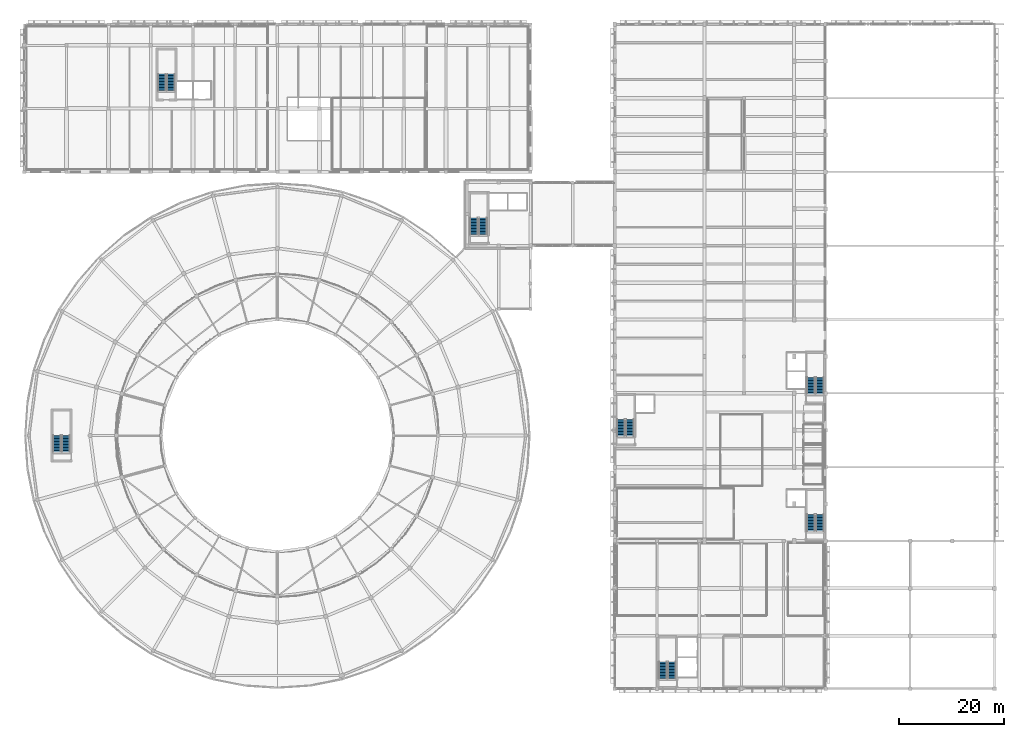
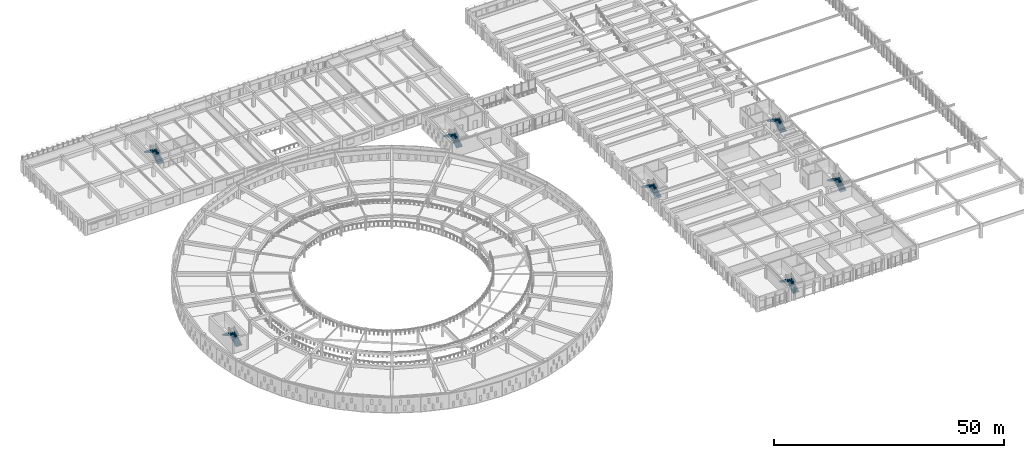
# One storey, part 75 of 98: 14 stair flights, 7 elements without a shape of their own.
"""IFC4 building model written with IfcOpenShell, lengths in metres."""

from ifc_helpers import new_model, si_unit, direction, frame, origin, place, context, subcontext, project, spatial, polyline, outline, extrude, material, type_object, element, aggregate, save


model = new_model("IFC4")

# Units and contexts
model_context = context("Model", 3, precision=1e-05, world=origin(), true_north=direction((0.0, 1.0)))
body_context = subcontext(model_context, "Body", "Model", "MODEL_VIEW")
ifc_project = project(units=[si_unit("LENGTHUNIT", "METRE"), si_unit("AREAUNIT", "SQUARE_METRE"), si_unit("VOLUMEUNIT", "CUBIC_METRE"), si_unit("PLANEANGLEUNIT", "RADIAN"), si_unit("MASSUNIT", "GRAM", prefix="KILO")], contexts=[model_context])

# Site, building, storey
site_placement = place(None, origin())
site = spatial("IfcSite", under=ifc_project, at=site_placement, CompositionType="ELEMENT")
building_placement = place(site_placement, origin())
building = spatial("IfcBuilding", under=site, at=building_placement, Name="Larkveld Mobility Hub", CompositionType="ELEMENT")
storey_placement = place(building_placement, frame((0.0, 0.0, 4.5)))
storey = spatial("IfcBuildingStorey", under=building, at=storey_placement, Name="L01", CompositionType="ELEMENT", Elevation=4.5)

# Stair, stair flights
ifc_material = material(Name="Concrete C40/50", Category="concrete")
stair_type_1 = type_object("IfcStairType", Name="ST-HT-01", PredefinedType="HALF_TURN_STAIR", material=ifc_material)
stair_1_placement = place(storey_placement, origin())
stair_1 = element("IfcStair", 1, at=stair_1_placement, inside=storey, type_object=stair_type_1, Name="L01 Protected Escape Stair ST1", PredefinedType="HALF_TURN_STAIR")
stair_flight_type_1 = type_object("IfcStairFlightType", Name="SF-HT-01", PredefinedType="STRAIGHT", material=ifc_material)
stair_flight_1_placement = place(storey_placement, frame((150.875, 29.89990234375, 0.0), z_axis=(0.0, 0.0, 1.0), x_axis=(0.0, 1.0, 0.0)))
stair_flight_1 = element("IfcStairFlight", 2, at=stair_flight_1_placement, type_object=stair_flight_type_1, Name="ST1 flight 1", NumberOfRisers=12, NumberOfTreads=11, PredefinedType="STRAIGHT", RiserHeight=0.1625, TreadLength=0.285, context=body_context, shape_type="SweptSolid", body=[
    extrude(outline(polyline([(0.0, 0.0), (0.0, 0.16259765625), (0.284912109375, 0.16259765625), (0.284912109375, 0.324951171875), (0.570068359375, 0.324951171875), (0.570068359375, 0.487548828125), (0.85498046875, 0.487548828125), (0.85498046875, 0.64990234375), (1.139892578125, 0.64990234375), (1.139892578125, 0.8125), (1.425048828125, 0.8125), (1.425048828125, 0.97509765625), (1.7099609375, 0.97509765625), (1.7099609375, 1.137451171875), (1.9951171875, 1.137451171875), (1.9951171875, 1.300048828125), (2.280029296875, 1.300048828125), (2.280029296875, 1.46240234375), (2.56494140625, 1.46240234375), (2.56494140625, 1.625), (2.85009765625, 1.625), (2.85009765625, 1.78759765625), (3.135009765625, 1.78759765625), (3.135009765625, 1.949951171875), (3.135009765625, 1.60791015625), (0.31494140625, 0.0), (0.0, 0.0)])), frame((0.0, 0.77490234375, 0.0), z_axis=(0.0, -1.0, 0.0), x_axis=(1.0, 0.0, 0.0)), (0.0, 0.0, 1.0), 1.550048828125),
])
stair_flight_2_placement = place(storey_placement, frame((149.175048828125, 33.034912109375, 1.949951171875), z_axis=(0.0, 0.0, 1.0), x_axis=(0.0, -1.0, 0.0)))
stair_flight_2 = element("IfcStairFlight", 3, at=stair_flight_2_placement, type_object=stair_flight_type_1, Name="ST1 flight 2", NumberOfRisers=12, NumberOfTreads=11, PredefinedType="STRAIGHT", RiserHeight=0.1625, TreadLength=0.285, context=body_context, shape_type="SweptSolid", body=[
    extrude(outline(polyline([(0.0, 0.0), (0.0, 0.16259765625), (0.284912109375, 0.16259765625), (0.284912109375, 0.324951171875), (0.570068359375, 0.324951171875), (0.570068359375, 0.487548828125), (0.85498046875, 0.487548828125), (0.85498046875, 0.64990234375), (1.139892578125, 0.64990234375), (1.139892578125, 0.8125), (1.425048828125, 0.8125), (1.425048828125, 0.97509765625), (1.7099609375, 0.97509765625), (1.7099609375, 1.137451171875), (1.9951171875, 1.137451171875), (1.9951171875, 1.300048828125), (2.280029296875, 1.300048828125), (2.280029296875, 1.46240234375), (2.56494140625, 1.46240234375), (2.56494140625, 1.625), (2.85009765625, 1.625), (2.85009765625, 1.78759765625), (3.135009765625, 1.78759765625), (3.135009765625, 1.949951171875), (3.135009765625, 1.60791015625), (0.31494140625, 0.0), (0.0, 0.0)])), frame((0.0, 0.77490234375, 0.0), z_axis=(0.0, -1.0, 0.0), x_axis=(1.0, 0.0, 0.0)), (0.0, 0.0, 1.0), 1.550048828125),
])
aggregate(stair_1, [stair_flight_1, stair_flight_2])

stair_type_2 = type_object("IfcStairType", Name="ST-HT-02", PredefinedType="HALF_TURN_STAIR", material=ifc_material)
stair_2_placement = place(storey_placement, origin())
stair_2 = element("IfcStair", 4, at=stair_2_placement, inside=storey, type_object=stair_type_2, Name="L01 Protected Escape Stair ST2", PredefinedType="HALF_TURN_STAIR")
stair_flight_type_2 = type_object("IfcStairFlightType", Name="SF-HT-02", PredefinedType="STRAIGHT", material=ifc_material)
stair_flight_3_placement = place(storey_placement, frame((150.8701171875, 55.909912109375, 0.0), z_axis=(0.0, 0.0, 1.0), x_axis=(0.0, 1.0, 0.0)))
stair_flight_3 = element("IfcStairFlight", 5, at=stair_flight_3_placement, type_object=stair_flight_type_2, Name="ST2 flight 1", NumberOfRisers=12, NumberOfTreads=11, PredefinedType="STRAIGHT", RiserHeight=0.1625, TreadLength=0.285, context=body_context, shape_type="SweptSolid", body=[
    extrude(outline(polyline([(0.0, 0.0), (0.0, 0.16259765625), (0.284912109375, 0.16259765625), (0.284912109375, 0.324951171875), (0.570068359375, 0.324951171875), (0.570068359375, 0.487548828125), (0.85498046875, 0.487548828125), (0.85498046875, 0.64990234375), (1.139892578125, 0.64990234375), (1.139892578125, 0.8125), (1.425048828125, 0.8125), (1.425048828125, 0.97509765625), (1.7099609375, 0.97509765625), (1.7099609375, 1.137451171875), (1.9951171875, 1.137451171875), (1.9951171875, 1.300048828125), (2.280029296875, 1.300048828125), (2.280029296875, 1.46240234375), (2.56494140625, 1.46240234375), (2.56494140625, 1.625), (2.85009765625, 1.625), (2.85009765625, 1.78759765625), (3.135009765625, 1.78759765625), (3.135009765625, 1.949951171875), (3.135009765625, 1.600830078125), (0.327392578125, 0.0), (0.0, 0.0)])), frame((0.0, 0.780029296875, 0.0), z_axis=(0.0, -1.0, 0.0), x_axis=(1.0, 0.0, 0.0)), (0.0, 0.0, 1.0), 1.56005859375),
])
stair_flight_4_placement = place(storey_placement, frame((149.159912109375, 59.044921875, 1.949951171875), z_axis=(0.0, 0.0, 1.0), x_axis=(0.0, -1.0, 0.0)))
stair_flight_4 = element("IfcStairFlight", 6, at=stair_flight_4_placement, type_object=stair_flight_type_2, Name="ST2 flight 2", NumberOfRisers=12, NumberOfTreads=11, PredefinedType="STRAIGHT", RiserHeight=0.1625, TreadLength=0.285, context=body_context, shape_type="SweptSolid", body=[
    extrude(outline(polyline([(0.0, 0.0), (0.0, 0.16259765625), (0.284912109375, 0.16259765625), (0.284912109375, 0.324951171875), (0.570068359375, 0.324951171875), (0.570068359375, 0.487548828125), (0.85498046875, 0.487548828125), (0.85498046875, 0.64990234375), (1.139892578125, 0.64990234375), (1.139892578125, 0.8125), (1.425048828125, 0.8125), (1.425048828125, 0.97509765625), (1.7099609375, 0.97509765625), (1.7099609375, 1.137451171875), (1.9951171875, 1.137451171875), (1.9951171875, 1.300048828125), (2.280029296875, 1.300048828125), (2.280029296875, 1.46240234375), (2.56494140625, 1.46240234375), (2.56494140625, 1.625), (2.85009765625, 1.625), (2.85009765625, 1.78759765625), (3.135009765625, 1.78759765625), (3.135009765625, 1.949951171875), (3.135009765625, 1.600830078125), (0.327392578125, 0.0), (0.0, 0.0)])), frame((0.0, 0.780029296875, 0.0), z_axis=(0.0, -1.0, 0.0), x_axis=(1.0, 0.0, 0.0)), (0.0, 0.0, 1.0), 1.56005859375),
])
aggregate(stair_2, [stair_flight_3, stair_flight_4])

stair_type_3 = type_object("IfcStairType", Name="ST-HT-03", PredefinedType="HALF_TURN_STAIR", material=ifc_material)
stair_3_placement = place(storey_placement, origin())
stair_3 = element("IfcStair", 7, at=stair_3_placement, inside=storey, type_object=stair_type_3, Name="L01 Protected Escape Stair ST3", PredefinedType="HALF_TURN_STAIR")
stair_flight_type_3 = type_object("IfcStairFlightType", Name="SF-HT-03", PredefinedType="STRAIGHT", material=ifc_material)
stair_flight_5_placement = place(storey_placement, frame((114.85498046875, 47.919921875, 0.0), z_axis=(0.0, 0.0, 1.0), x_axis=(0.0, 1.0, 0.0)))
stair_flight_5 = element("IfcStairFlight", 8, at=stair_flight_5_placement, type_object=stair_flight_type_3, Name="ST3 flight 1", NumberOfRisers=12, NumberOfTreads=11, PredefinedType="STRAIGHT", RiserHeight=0.1625, TreadLength=0.285, context=body_context, shape_type="SweptSolid", body=[
    extrude(outline(polyline([(0.0, 0.0), (0.0, 0.16259765625), (0.284912109375, 0.16259765625), (0.284912109375, 0.324951171875), (0.570068359375, 0.324951171875), (0.570068359375, 0.487548828125), (0.85498046875, 0.487548828125), (0.85498046875, 0.64990234375), (1.139892578125, 0.64990234375), (1.139892578125, 0.8125), (1.425048828125, 0.8125), (1.425048828125, 0.97509765625), (1.7099609375, 0.97509765625), (1.7099609375, 1.137451171875), (1.9951171875, 1.137451171875), (1.9951171875, 1.300048828125), (2.280029296875, 1.300048828125), (2.280029296875, 1.46240234375), (2.56494140625, 1.46240234375), (2.56494140625, 1.625), (2.85009765625, 1.625), (2.85009765625, 1.78759765625), (3.135009765625, 1.78759765625), (3.135009765625, 1.949951171875), (3.135009765625, 1.59423828125), (0.339111328125, 0.0), (0.0, 0.0)])), frame((0.0, 0.78515625, 0.0), z_axis=(0.0, -1.0, 0.0), x_axis=(1.0, 0.0, 0.0)), (0.0, 0.0, 1.0), 1.570068359375),
])
stair_flight_6_placement = place(storey_placement, frame((113.135009765625, 51.054931640625, 1.949951171875), z_axis=(0.0, 0.0, 1.0), x_axis=(0.0, -1.0, 0.0)))
stair_flight_6 = element("IfcStairFlight", 9, at=stair_flight_6_placement, type_object=stair_flight_type_3, Name="ST3 flight 2", NumberOfRisers=12, NumberOfTreads=11, PredefinedType="STRAIGHT", RiserHeight=0.1625, TreadLength=0.285, context=body_context, shape_type="SweptSolid", body=[
    extrude(outline(polyline([(0.0, 0.0), (0.0, 0.16259765625), (0.284912109375, 0.16259765625), (0.284912109375, 0.324951171875), (0.570068359375, 0.324951171875), (0.570068359375, 0.487548828125), (0.85498046875, 0.487548828125), (0.85498046875, 0.64990234375), (1.139892578125, 0.64990234375), (1.139892578125, 0.8125), (1.425048828125, 0.8125), (1.425048828125, 0.97509765625), (1.7099609375, 0.97509765625), (1.7099609375, 1.137451171875), (1.9951171875, 1.137451171875), (1.9951171875, 1.300048828125), (2.280029296875, 1.300048828125), (2.280029296875, 1.46240234375), (2.56494140625, 1.46240234375), (2.56494140625, 1.625), (2.85009765625, 1.625), (2.85009765625, 1.78759765625), (3.135009765625, 1.78759765625), (3.135009765625, 1.949951171875), (3.135009765625, 1.59423828125), (0.339111328125, 0.0), (0.0, 0.0)])), frame((0.0, 0.78515625, 0.0), z_axis=(0.0, -1.0, 0.0), x_axis=(1.0, 0.0, 0.0)), (0.0, 0.0, 1.0), 1.570068359375),
])
aggregate(stair_3, [stair_flight_5, stair_flight_6])

stair_type_4 = type_object("IfcStairType", Name="ST-HT-04", PredefinedType="HALF_TURN_STAIR", material=ifc_material)
stair_4_placement = place(storey_placement, origin())
stair_4 = element("IfcStair", 10, at=stair_4_placement, inside=storey, type_object=stair_type_4, Name="L01 Protected Escape Stair ST4", PredefinedType="HALF_TURN_STAIR")
stair_flight_type_4 = type_object("IfcStairFlightType", Name="SF-HT-04", PredefinedType="STRAIGHT", material=ifc_material)
stair_flight_7_placement = place(storey_placement, frame((122.824951171875, 1.89990234375, 0.0), z_axis=(0.0, 0.0, 1.0), x_axis=(0.0, 1.0, 0.0)))
stair_flight_7 = element("IfcStairFlight", 11, at=stair_flight_7_placement, type_object=stair_flight_type_4, Name="ST4 flight 1", NumberOfRisers=12, NumberOfTreads=11, PredefinedType="STRAIGHT", RiserHeight=0.1625, TreadLength=0.285, context=body_context, shape_type="SweptSolid", body=[
    extrude(outline(polyline([(0.0, 0.0), (0.0, 0.16259765625), (0.284912109375, 0.16259765625), (0.284912109375, 0.324951171875), (0.570068359375, 0.324951171875), (0.570068359375, 0.487548828125), (0.85498046875, 0.487548828125), (0.85498046875, 0.64990234375), (1.139892578125, 0.64990234375), (1.139892578125, 0.8125), (1.425048828125, 0.8125), (1.425048828125, 0.97509765625), (1.7099609375, 0.97509765625), (1.7099609375, 1.137451171875), (1.9951171875, 1.137451171875), (1.9951171875, 1.300048828125), (2.280029296875, 1.300048828125), (2.280029296875, 1.46240234375), (2.56494140625, 1.46240234375), (2.56494140625, 1.625), (2.85009765625, 1.625), (2.85009765625, 1.78759765625), (3.135009765625, 1.78759765625), (3.135009765625, 1.949951171875), (3.135009765625, 1.587158203125), (0.351318359375, 0.0), (0.0, 0.0)])), frame((0.0, 0.77490234375, 0.0), z_axis=(0.0, -1.0, 0.0), x_axis=(1.0, 0.0, 0.0)), (0.0, 0.0, 1.0), 1.550048828125),
])
stair_flight_8_placement = place(storey_placement, frame((121.125, 5.034912109375, 1.949951171875), z_axis=(0.0, 0.0, 1.0), x_axis=(0.0, -1.0, 0.0)))
stair_flight_8 = element("IfcStairFlight", 12, at=stair_flight_8_placement, type_object=stair_flight_type_4, Name="ST4 flight 2", NumberOfRisers=12, NumberOfTreads=11, PredefinedType="STRAIGHT", RiserHeight=0.1625, TreadLength=0.285, context=body_context, shape_type="SweptSolid", body=[
    extrude(outline(polyline([(0.0, 0.0), (0.0, 0.16259765625), (0.284912109375, 0.16259765625), (0.284912109375, 0.324951171875), (0.570068359375, 0.324951171875), (0.570068359375, 0.487548828125), (0.85498046875, 0.487548828125), (0.85498046875, 0.64990234375), (1.139892578125, 0.64990234375), (1.139892578125, 0.8125), (1.425048828125, 0.8125), (1.425048828125, 0.97509765625), (1.7099609375, 0.97509765625), (1.7099609375, 1.137451171875), (1.9951171875, 1.137451171875), (1.9951171875, 1.300048828125), (2.280029296875, 1.300048828125), (2.280029296875, 1.46240234375), (2.56494140625, 1.46240234375), (2.56494140625, 1.625), (2.85009765625, 1.625), (2.85009765625, 1.78759765625), (3.135009765625, 1.78759765625), (3.135009765625, 1.949951171875), (3.135009765625, 1.587158203125), (0.351318359375, 0.0), (0.0, 0.0)])), frame((0.0, 0.77490234375, 0.0), z_axis=(0.0, -1.0, 0.0), x_axis=(1.0, 0.0, 0.0)), (0.0, 0.0, 1.0), 1.550048828125),
])
aggregate(stair_4, [stair_flight_7, stair_flight_8])

stair_type_5 = type_object("IfcStairType", Name="ST-HT-05", PredefinedType="HALF_TURN_STAIR", material=ifc_material)
stair_5_placement = place(storey_placement, origin())
stair_5 = element("IfcStair", 13, at=stair_5_placement, inside=storey, type_object=stair_type_5, Name="L01 Protected Escape Stair ST5", PredefinedType="HALF_TURN_STAIR")
stair_flight_type_5 = type_object("IfcStairFlightType", Name="SF-HT-05", PredefinedType="STRAIGHT", material=ifc_material)
stair_flight_9_placement = place(storey_placement, frame((87.02490234375, 86.10009765625, 0.0), z_axis=(0.0, 0.0, 1.0), x_axis=(0.0, 1.0, 0.0)))
stair_flight_9 = element("IfcStairFlight", 14, at=stair_flight_9_placement, type_object=stair_flight_type_5, Name="ST5 flight 1", NumberOfRisers=12, NumberOfTreads=11, PredefinedType="STRAIGHT", RiserHeight=0.1625, TreadLength=0.285, context=body_context, shape_type="SweptSolid", body=[
    extrude(outline(polyline([(0.0, 0.0), (0.0, 0.16259765625), (0.284912109375, 0.16259765625), (0.284912109375, 0.324951171875), (0.570068359375, 0.324951171875), (0.570068359375, 0.487548828125), (0.85498046875, 0.487548828125), (0.85498046875, 0.64990234375), (1.139892578125, 0.64990234375), (1.139892578125, 0.8125), (1.425048828125, 0.8125), (1.425048828125, 0.97509765625), (1.7099609375, 0.97509765625), (1.7099609375, 1.137451171875), (1.9951171875, 1.137451171875), (1.9951171875, 1.300048828125), (2.280029296875, 1.300048828125), (2.280029296875, 1.46240234375), (2.56494140625, 1.46240234375), (2.56494140625, 1.625), (2.85009765625, 1.625), (2.85009765625, 1.78759765625), (3.135009765625, 1.78759765625), (3.135009765625, 1.949951171875), (3.135009765625, 1.580322265625), (0.36328125, 0.0), (0.0, 0.0)])), frame((0.0, 0.77490234375, 0.0), z_axis=(0.0, -1.0, 0.0), x_axis=(1.0, 0.0, 0.0)), (0.0, 0.0, 1.0), 1.550048828125),
])
stair_flight_10_placement = place(storey_placement, frame((85.324951171875, 89.235107421875, 1.949951171875), z_axis=(0.0, 0.0, 1.0), x_axis=(0.0, -1.0, 0.0)))
stair_flight_10 = element("IfcStairFlight", 15, at=stair_flight_10_placement, type_object=stair_flight_type_5, Name="ST5 flight 2", NumberOfRisers=12, NumberOfTreads=11, PredefinedType="STRAIGHT", RiserHeight=0.1625, TreadLength=0.285, context=body_context, shape_type="SweptSolid", body=[
    extrude(outline(polyline([(0.0, 0.0), (0.0, 0.16259765625), (0.284912109375, 0.16259765625), (0.284912109375, 0.324951171875), (0.570068359375, 0.324951171875), (0.570068359375, 0.487548828125), (0.85498046875, 0.487548828125), (0.85498046875, 0.64990234375), (1.139892578125, 0.64990234375), (1.139892578125, 0.8125), (1.425048828125, 0.8125), (1.425048828125, 0.97509765625), (1.7099609375, 0.97509765625), (1.7099609375, 1.137451171875), (1.9951171875, 1.137451171875), (1.9951171875, 1.300048828125), (2.280029296875, 1.300048828125), (2.280029296875, 1.46240234375), (2.56494140625, 1.46240234375), (2.56494140625, 1.625), (2.85009765625, 1.625), (2.85009765625, 1.78759765625), (3.135009765625, 1.78759765625), (3.135009765625, 1.949951171875), (3.135009765625, 1.580322265625), (0.36328125, 0.0), (0.0, 0.0)])), frame((0.0, 0.77490234375, 0.0), z_axis=(0.0, -1.0, 0.0), x_axis=(1.0, 0.0, 0.0)), (0.0, 0.0, 1.0), 1.550048828125),
])
aggregate(stair_5, [stair_flight_9, stair_flight_10])

stair_type_6 = type_object("IfcStairType", Name="ST-HT-06", PredefinedType="HALF_TURN_STAIR", material=ifc_material)
stair_6_placement = place(storey_placement, origin())
stair_6 = element("IfcStair", 16, at=stair_6_placement, inside=storey, type_object=stair_type_6, Name="L01 Protected Escape Stair ST6", PredefinedType="HALF_TURN_STAIR")
stair_flight_type_6 = type_object("IfcStairFlightType", Name="SF-HT-06", PredefinedType="STRAIGHT", material=ifc_material)
stair_flight_11_placement = place(storey_placement, frame((27.824951171875, 113.39990234375, 0.0), z_axis=(0.0, 0.0, 1.0), x_axis=(0.0, 1.0, 0.0)))
stair_flight_11 = element("IfcStairFlight", 17, at=stair_flight_11_placement, type_object=stair_flight_type_6, Name="ST6 flight 1", NumberOfRisers=12, NumberOfTreads=11, PredefinedType="STRAIGHT", RiserHeight=0.1625, TreadLength=0.285, context=body_context, shape_type="SweptSolid", body=[
    extrude(outline(polyline([(0.0, 0.0), (0.0, 0.16259765625), (0.284912109375, 0.16259765625), (0.284912109375, 0.324951171875), (0.570068359375, 0.324951171875), (0.570068359375, 0.487548828125), (0.85498046875, 0.487548828125), (0.85498046875, 0.64990234375), (1.139892578125, 0.64990234375), (1.139892578125, 0.8125), (1.425048828125, 0.8125), (1.425048828125, 0.97509765625), (1.7099609375, 0.97509765625), (1.7099609375, 1.137451171875), (1.9951171875, 1.137451171875), (1.9951171875, 1.300048828125), (2.280029296875, 1.300048828125), (2.280029296875, 1.46240234375), (2.56494140625, 1.46240234375), (2.56494140625, 1.625), (2.85009765625, 1.625), (2.85009765625, 1.78759765625), (3.135009765625, 1.78759765625), (3.135009765625, 1.949951171875), (3.135009765625, 1.5732421875), (0.37548828125, 0.0), (0.0, 0.0)])), frame((0.0, 0.77490234375, 0.0), z_axis=(0.0, -1.0, 0.0), x_axis=(1.0, 0.0, 0.0)), (0.0, 0.0, 1.0), 1.550048828125),
])
stair_flight_12_placement = place(storey_placement, frame((26.125, 116.534912109375, 1.949951171875), z_axis=(0.0, 0.0, 1.0), x_axis=(0.0, -1.0, 0.0)))
stair_flight_12 = element("IfcStairFlight", 18, at=stair_flight_12_placement, type_object=stair_flight_type_6, Name="ST6 flight 2", NumberOfRisers=12, NumberOfTreads=11, PredefinedType="STRAIGHT", RiserHeight=0.1625, TreadLength=0.285, context=body_context, shape_type="SweptSolid", body=[
    extrude(outline(polyline([(0.0, 0.0), (0.0, 0.16259765625), (0.284912109375, 0.16259765625), (0.284912109375, 0.324951171875), (0.570068359375, 0.324951171875), (0.570068359375, 0.487548828125), (0.85498046875, 0.487548828125), (0.85498046875, 0.64990234375), (1.139892578125, 0.64990234375), (1.139892578125, 0.8125), (1.425048828125, 0.8125), (1.425048828125, 0.97509765625), (1.7099609375, 0.97509765625), (1.7099609375, 1.137451171875), (1.9951171875, 1.137451171875), (1.9951171875, 1.300048828125), (2.280029296875, 1.300048828125), (2.280029296875, 1.46240234375), (2.56494140625, 1.46240234375), (2.56494140625, 1.625), (2.85009765625, 1.625), (2.85009765625, 1.78759765625), (3.135009765625, 1.78759765625), (3.135009765625, 1.949951171875), (3.135009765625, 1.5732421875), (0.37548828125, 0.0), (0.0, 0.0)])), frame((0.0, 0.77490234375, 0.0), z_axis=(0.0, -1.0, 0.0), x_axis=(1.0, 0.0, 0.0)), (0.0, 0.0, 1.0), 1.550048828125),
])
aggregate(stair_6, [stair_flight_11, stair_flight_12])

stair_type_7 = type_object("IfcStairType", Name="ST-HT-07", PredefinedType="HALF_TURN_STAIR", material=ifc_material)
stair_7_placement = place(storey_placement, origin())
stair_7 = element("IfcStair", 19, at=stair_7_placement, inside=storey, type_object=stair_type_7, Name="L01 Protected Escape Stair ST7", PredefinedType="HALF_TURN_STAIR")
stair_flight_type_7 = type_object("IfcStairFlightType", Name="SF-HT-07", PredefinedType="STRAIGHT", material=ifc_material)
stair_flight_13_placement = place(storey_placement, frame((7.925048828125, 44.89990234375, 0.0), z_axis=(0.0, 0.0, 1.0), x_axis=(0.0, 1.0, 0.0)))
stair_flight_13 = element("IfcStairFlight", 20, at=stair_flight_13_placement, type_object=stair_flight_type_7, Name="ST7 flight 1", NumberOfRisers=12, NumberOfTreads=11, PredefinedType="STRAIGHT", RiserHeight=0.1625, TreadLength=0.285, context=body_context, shape_type="SweptSolid", body=[
    extrude(outline(polyline([(0.0, 0.0), (0.0, 0.16259765625), (0.284912109375, 0.16259765625), (0.284912109375, 0.324951171875), (0.570068359375, 0.324951171875), (0.570068359375, 0.487548828125), (0.85498046875, 0.487548828125), (0.85498046875, 0.64990234375), (1.139892578125, 0.64990234375), (1.139892578125, 0.8125), (1.425048828125, 0.8125), (1.425048828125, 0.97509765625), (1.7099609375, 0.97509765625), (1.7099609375, 1.137451171875), (1.9951171875, 1.137451171875), (1.9951171875, 1.300048828125), (2.280029296875, 1.300048828125), (2.280029296875, 1.46240234375), (2.56494140625, 1.46240234375), (2.56494140625, 1.625), (2.85009765625, 1.625), (2.85009765625, 1.78759765625), (3.135009765625, 1.78759765625), (3.135009765625, 1.949951171875), (3.135009765625, 1.566650390625), (0.387451171875, 0.0), (0.0, 0.0)])), frame((0.0, 0.77490234375, 0.0), z_axis=(0.0, -1.0, 0.0), x_axis=(1.0, 0.0, 0.0)), (0.0, 0.0, 1.0), 1.550048828125),
])
stair_flight_14_placement = place(storey_placement, frame((6.22509765625, 48.034912109375, 1.949951171875), z_axis=(0.0, 0.0, 1.0), x_axis=(0.0, -1.0, 0.0)))
stair_flight_14 = element("IfcStairFlight", 21, at=stair_flight_14_placement, type_object=stair_flight_type_7, Name="ST7 flight 2", NumberOfRisers=12, NumberOfTreads=11, PredefinedType="STRAIGHT", RiserHeight=0.1625, TreadLength=0.285, context=body_context, shape_type="SweptSolid", body=[
    extrude(outline(polyline([(0.0, 0.0), (0.0, 0.16259765625), (0.284912109375, 0.16259765625), (0.284912109375, 0.324951171875), (0.570068359375, 0.324951171875), (0.570068359375, 0.487548828125), (0.85498046875, 0.487548828125), (0.85498046875, 0.64990234375), (1.139892578125, 0.64990234375), (1.139892578125, 0.8125), (1.425048828125, 0.8125), (1.425048828125, 0.97509765625), (1.7099609375, 0.97509765625), (1.7099609375, 1.137451171875), (1.9951171875, 1.137451171875), (1.9951171875, 1.300048828125), (2.280029296875, 1.300048828125), (2.280029296875, 1.46240234375), (2.56494140625, 1.46240234375), (2.56494140625, 1.625), (2.85009765625, 1.625), (2.85009765625, 1.78759765625), (3.135009765625, 1.78759765625), (3.135009765625, 1.949951171875), (3.135009765625, 1.566650390625), (0.387451171875, 0.0), (0.0, 0.0)])), frame((0.0, 0.77490234375, 0.0), z_axis=(0.0, -1.0, 0.0), x_axis=(1.0, 0.0, 0.0)), (0.0, 0.0, 1.0), 1.550048828125),
])
aggregate(stair_7, [stair_flight_13, stair_flight_14])

save(model, "model.ifc")
